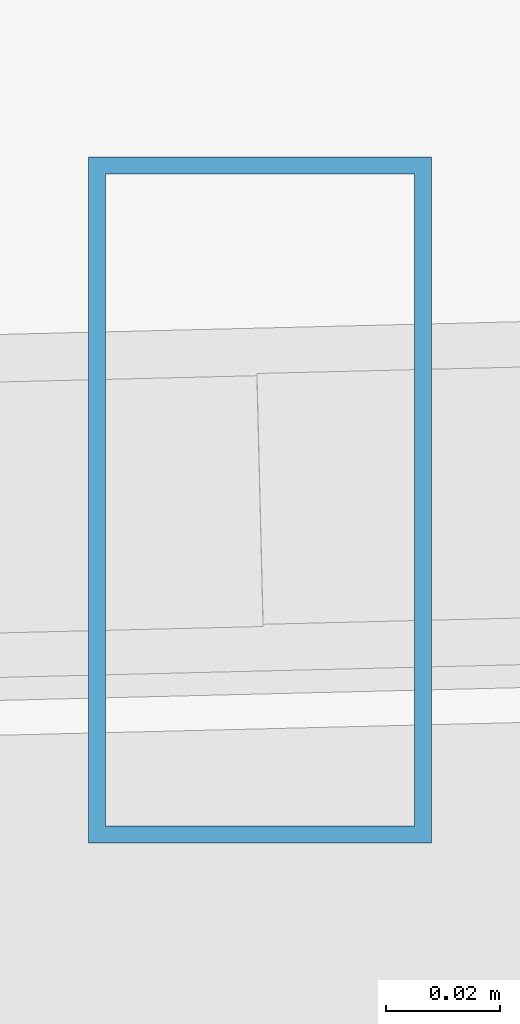
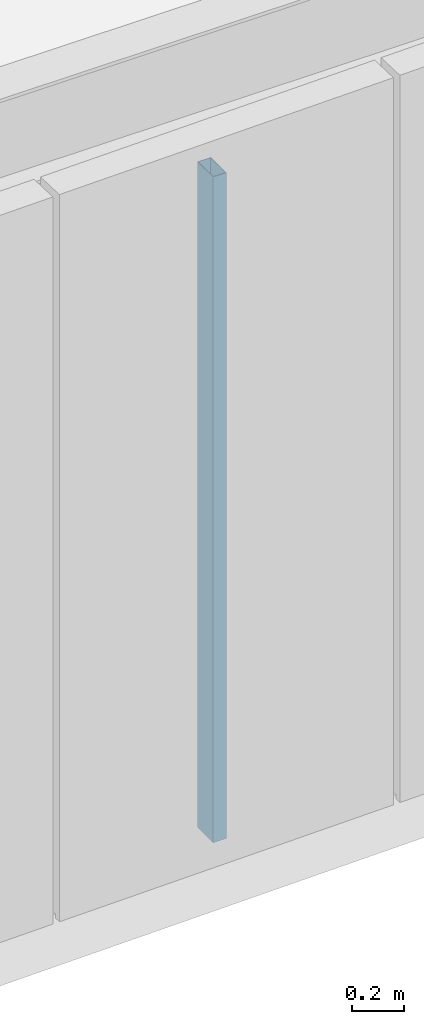
# One storey, part 21 of 44: 1 member, 1 element without a shape of its own.
"""IFC4 building model written with IfcOpenShell, lengths in metres."""

from ifc_helpers import new_model, si_unit, direction, frame, origin, origin_2d, place, context, subcontext, project, spatial, hollow_rectangle, extrude, source, transform, mapped, material, material_profile, profile_set, type_object, type_shapes, element, aggregate, save


model = new_model("IFC4")

# Units and contexts
model_context = context("Model", 3, precision=1e-05, world=origin(), true_north=direction((0.0, 1.0)))
body_context = subcontext(model_context, "Body", "Model", "MODEL_VIEW")
ifc_project = project(units=[si_unit("LENGTHUNIT", "METRE"), si_unit("AREAUNIT", "SQUARE_METRE"), si_unit("VOLUMEUNIT", "CUBIC_METRE"), si_unit("PLANEANGLEUNIT", "RADIAN"), si_unit("MASSUNIT", "GRAM", prefix="KILO")], contexts=[model_context])

# Site, building, storey
site_placement = place(None, origin())
site = spatial("IfcSite", under=ifc_project, at=site_placement, CompositionType="ELEMENT")
building_placement = place(site_placement, origin())
building = spatial("IfcBuilding", under=site, at=building_placement, Name="Caelisora Broadcast Tower", CompositionType="ELEMENT")
storey_placement = place(building_placement, frame((0.0, 0.0, 289.800048828125)))
storey = spatial("IfcBuildingStorey", under=building, at=storey_placement, Name="L76", CompositionType="ELEMENT", Elevation=289.800048828125)

# Curtain wall, member
ifc_material_1 = material(Name="Unitised Aluminium Insulated Shadow-Box Spandrel Curtain Wall", Category="aluminium")
curtain_wall_type = type_object("IfcCurtainWallType", Name="CW-SP3", PredefinedType="NOTDEFINED", material=ifc_material_1)
curtain_wall_placement = place(storey_placement, origin())
curtain_wall = element("IfcCurtainWall", 1, at=curtain_wall_placement, inside=storey, type_object=curtain_wall_type, Name="L76 curtain wall CW-SP3", PredefinedType="NOTDEFINED")
ifc_material_2 = material(Name="Aluminium 6063-T6 Anodised Terracotta Bronze", Category="aluminium")
ifc_material_profile = material_profile(ifc_material_2, hollow_rectangle(XDim=0.06005859375, YDim=0.1201171875, WallThickness=0.0029296875, at=origin_2d()), Name="Aluminium 6063-T6 Anodised Terracotta Bronze")
ifc_profile_set = profile_set([ifc_material_profile], Name="Aluminium 6063-T6 Anodised Terracotta Bronze")
member_type = type_object("IfcMemberType", Name="CWM-04", PredefinedType="MULLION", material=ifc_profile_set)
shared_shape = source(origin(), body_context, "Body", "SweptSolid", [
    extrude(hollow_rectangle(XDim=0.06005859375, YDim=0.1201171875, WallThickness=0.0029296875, at=origin_2d()), origin(), (0.0, 0.0, 1.0), 3.14990234375),
])
type_shapes(member_type, [shared_shape])
member_placement = place(storey_placement, frame((49.94189453125, 9.15869140625, 0.0), z_axis=(0.0, 0.0, 1.0), x_axis=(1.0, 0.0, 0.0)))
member = element("IfcMember", 2, at=member_placement, type_object=member_type, Name="L76-CW-B05 mullion #2", PredefinedType="MULLION", context=body_context, shape_type="MappedRepresentation", body=[
    mapped(shared_shape, transform((0.0, 0.0, 0.0), scale=1.0)),
])
aggregate(curtain_wall, [member])

save(model, "model.ifc")
